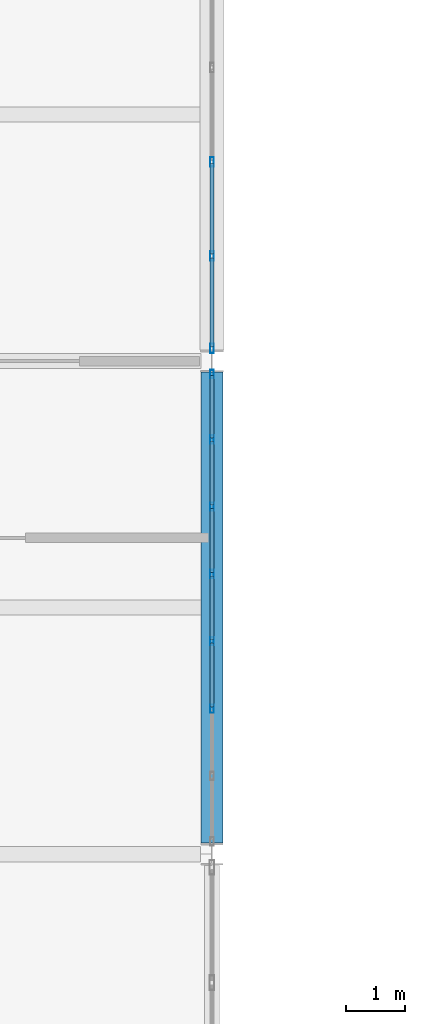
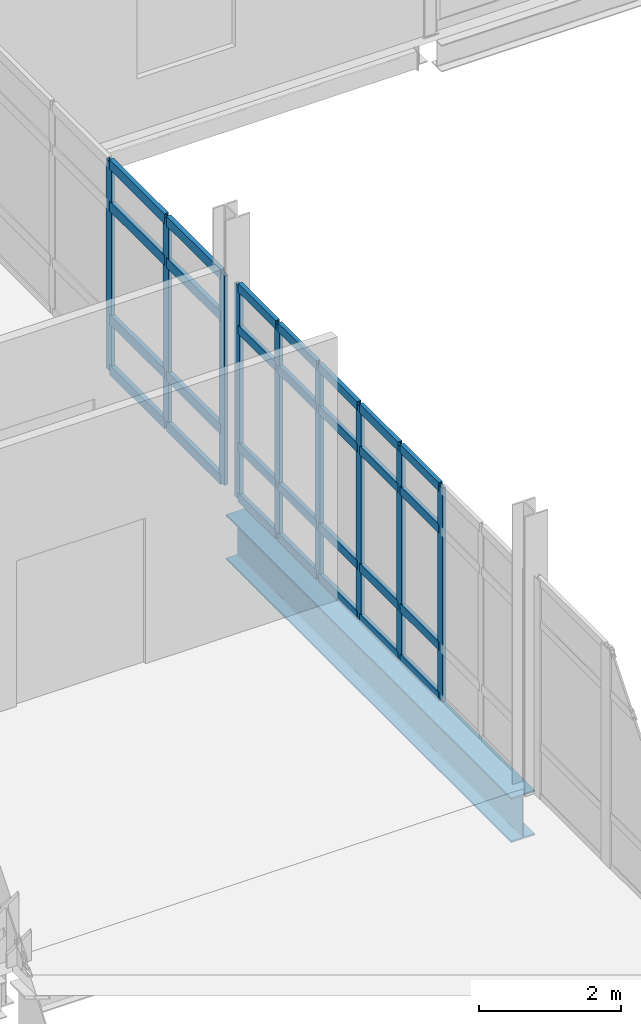
# One storey, part 58 of 186: 37 members, 1 beam, 2 elements without a shape of their own.
"""IFC4 building model written with IfcOpenShell, lengths in metres."""

from ifc_helpers import new_model, si_unit, direction, frame, origin, origin_2d, place, context, subcontext, project, spatial, hollow_rectangle, i_section, extrude, material, layer, layer_set, material_profile, profile_set, type_object, element, aggregate, save


model = new_model("IFC4")

# Units and contexts
model_context = context("Model", 3, precision=1e-05, world=origin(), true_north=direction((0.0, 1.0)))
body_context = subcontext(model_context, "Body", "Model", "MODEL_VIEW")
ifc_project = project(units=[si_unit("LENGTHUNIT", "METRE"), si_unit("AREAUNIT", "SQUARE_METRE"), si_unit("VOLUMEUNIT", "CUBIC_METRE"), si_unit("PLANEANGLEUNIT", "RADIAN"), si_unit("MASSUNIT", "GRAM", prefix="KILO")], contexts=[model_context])

# Site, building, storey
site_placement = place(None, origin())
site = spatial("IfcSite", under=ifc_project, at=site_placement, CompositionType="ELEMENT")
building_placement = place(site_placement, origin())
building = spatial("IfcBuilding", under=site, at=building_placement, Name="Calvrana Isthmian Art Gallery", CompositionType="ELEMENT")
storey_placement = place(building_placement, frame((0.0, 0.0, 5.39990234375)))
storey = spatial("IfcBuildingStorey", under=building, at=storey_placement, Name="L01", CompositionType="ELEMENT", Elevation=5.39990234375)

# Beam
ifc_material_1 = material(Name="Steel ASTM A992 Gr 50", Category="steel")
ifc_material_profile_1 = material_profile(ifc_material_1, i_section(OverallWidth=0.381103515625, OverallDepth=0.77197265625, WebThickness=0.0166015625, FlangeThickness=0.027099609375, FilletRadius=0.02490234375, at=origin_2d()), Name="W30X173")
ifc_profile_set_1 = profile_set([ifc_material_profile_1], Name="Steel ASTM A992 Gr 50")
beam_type = type_object("IfcBeamType", Name="BM-G-W30X173", PredefinedType="BEAM", material=ifc_profile_set_1)
beam_placement = place(storey_placement, frame((80.39990234375, 30.193115234375, -0.630859375), z_axis=(0.0, 1.0, 0.0), x_axis=(-1.0, 0.0, 0.0)))
element("IfcBeam", 1, at=beam_placement, inside=storey, type_object=beam_type, Name="Girder Y L01 11/E-F", PredefinedType="BEAM", context=body_context, shape_type="SweptSolid", body=[
    extrude(i_section(OverallWidth=0.381103515625, OverallDepth=0.77197265625, WebThickness=0.0166015625, FlangeThickness=0.027099609375, FilletRadius=0.02490234375, at=origin_2d()), origin(), (0.0, 0.0, 1.0), 8.020263671875),
])

# Curtain wall, members
ifc_material_2 = material(Name="Anodized bronze aluminium 6063-T6", Category="aluminium")
ifc_layer_1 = layer(ifc_material_2, 0.179931640625, Name="Anodized bronze aluminium 6063-T6")
ifc_layer_set_1 = layer_set([ifc_layer_1], Name="Anodized bronze aluminium 6063-T6")
curtain_wall_type_1 = type_object("IfcCurtainWallType", Name="CW-STICK-080X37", PredefinedType="NOTDEFINED", material=ifc_layer_set_1)
curtain_wall_1_placement = place(storey_placement, origin())
curtain_wall_1 = element("IfcCurtainWall", 2, at=curtain_wall_1_placement, inside=storey, type_object=curtain_wall_type_1, Name="Curtain wall CW-132", PredefinedType="NOTDEFINED")
ifc_material_profile_2 = material_profile(ifc_material_2, hollow_rectangle(XDim=0.06005859375, YDim=0.139892578125, WallThickness=0.00390625, at=origin_2d()), Name="CWM60X140")
ifc_profile_set_2 = profile_set([ifc_material_profile_2], Name="Anodized bronze aluminium 6063-T6")
member_type_1 = type_object("IfcMemberType", Name="CWM-CWM60X140", PredefinedType="MULLION", material=ifc_profile_set_2)
member_1_placement = place(storey_placement, frame((80.39990234375, 38.181884765625, 0.0), z_axis=(0.0, 0.0, 1.0), x_axis=(1.0, 0.0, 0.0)))
member_1 = element("IfcMember", 3, at=member_1_placement, type_object=member_type_1, Name="CW-132 mullion 1", PredefinedType="MULLION", context=body_context, shape_type="SweptSolid", body=[
    extrude(hollow_rectangle(XDim=0.06005859375, YDim=0.139892578125, WallThickness=0.00390625, at=origin_2d()), origin(), (0.0, 0.0, 1.0), 3.6640625),
])
member_2_placement = place(storey_placement, frame((80.39990234375, 37.0654296875, 0.0), z_axis=(0.0, 0.0, 1.0), x_axis=(1.0, 0.0, 0.0)))
member_2 = element("IfcMember", 4, at=member_2_placement, type_object=member_type_1, Name="CW-132 mullion 2", PredefinedType="MULLION", context=body_context, shape_type="SweptSolid", body=[
    extrude(hollow_rectangle(XDim=0.06005859375, YDim=0.139892578125, WallThickness=0.00390625, at=origin_2d()), origin(), (0.0, 0.0, 1.0), 3.6640625),
])
member_3_placement = place(storey_placement, frame((80.39990234375, 35.9189453125, 0.0), z_axis=(0.0, 0.0, 1.0), x_axis=(1.0, 0.0, 0.0)))
member_3 = element("IfcMember", 5, at=member_3_placement, type_object=member_type_1, Name="CW-132 mullion 3", PredefinedType="MULLION", context=body_context, shape_type="SweptSolid", body=[
    extrude(hollow_rectangle(XDim=0.06005859375, YDim=0.139892578125, WallThickness=0.00390625, at=origin_2d()), origin(), (0.0, 0.0, 1.0), 3.6640625),
])
member_4_placement = place(storey_placement, frame((80.39990234375, 34.7724609375, 0.0), z_axis=(0.0, 0.0, 1.0), x_axis=(1.0, 0.0, 0.0)))
member_4 = element("IfcMember", 6, at=member_4_placement, type_object=member_type_1, Name="CW-132 mullion 4", PredefinedType="MULLION", context=body_context, shape_type="SweptSolid", body=[
    extrude(hollow_rectangle(XDim=0.06005859375, YDim=0.139892578125, WallThickness=0.00390625, at=origin_2d()), origin(), (0.0, 0.0, 1.0), 3.6640625),
])
member_5_placement = place(storey_placement, frame((80.39990234375, 33.6259765625, 0.0), z_axis=(0.0, 0.0, 1.0), x_axis=(1.0, 0.0, 0.0)))
member_5 = element("IfcMember", 7, at=member_5_placement, type_object=member_type_1, Name="CW-132 mullion 5", PredefinedType="MULLION", context=body_context, shape_type="SweptSolid", body=[
    extrude(hollow_rectangle(XDim=0.06005859375, YDim=0.139892578125, WallThickness=0.00390625, at=origin_2d()), origin(), (0.0, 0.0, 1.0), 3.6640625),
])
member_6_placement = place(storey_placement, frame((80.39990234375, 32.4794921875, 0.0), z_axis=(0.0, 0.0, 1.0), x_axis=(1.0, 0.0, 0.0)))
member_6 = element("IfcMember", 8, at=member_6_placement, type_object=member_type_1, Name="CW-132 mullion 6", PredefinedType="MULLION", context=body_context, shape_type="SweptSolid", body=[
    extrude(hollow_rectangle(XDim=0.06005859375, YDim=0.139892578125, WallThickness=0.00390625, at=origin_2d()), origin(), (0.0, 0.0, 1.0), 3.6640625),
])

ifc_layer_2 = layer(ifc_material_2, 0.179931640625, Name="Anodized bronze aluminium 6063-T6")
ifc_layer_set_2 = layer_set([ifc_layer_2], Name="Anodized bronze aluminium 6063-T6")
curtain_wall_type_2 = type_object("IfcCurtainWallType", Name="CW-UNIT-080X36", PredefinedType="USERDEFINED", material=ifc_layer_set_2)
curtain_wall_2_placement = place(storey_placement, origin())
curtain_wall_2 = element("IfcCurtainWall", 9, at=curtain_wall_2_placement, inside=storey, type_object=curtain_wall_type_2, Name="Curtain wall CW-133", ObjectType="UNITISED CURTAIN WALL", PredefinedType="USERDEFINED")
ifc_material_profile_3 = material_profile(ifc_material_2, hollow_rectangle(XDim=0.06005859375, YDim=0.159912109375, WallThickness=0.00390625, at=origin_2d()), Name="CWM60X160")
ifc_profile_set_3 = profile_set([ifc_material_profile_3], Name="Anodized bronze aluminium 6063-T6")
member_type_2 = type_object("IfcMemberType", Name="CWM-CWM60X160", PredefinedType="MULLION", material=ifc_profile_set_3)
member_7_placement = place(storey_placement, frame((80.39990234375, 41.796630859375, 0.0), z_axis=(0.0, 0.0, 1.0), x_axis=(1.0, 0.0, 0.0)))
member_7 = element("IfcMember", 10, at=member_7_placement, type_object=member_type_2, Name="CW-133 mullion 4", PredefinedType="MULLION", context=body_context, shape_type="SweptSolid", body=[
    extrude(hollow_rectangle(XDim=0.06005859375, YDim=0.159912109375, WallThickness=0.00390625, at=origin_2d()), origin(), (0.0, 0.0, 1.0), 3.593017578125),
])
member_8_placement = place(storey_placement, frame((80.39990234375, 40.1923828125, 0.0), z_axis=(0.0, 0.0, 1.0), x_axis=(1.0, 0.0, 0.0)))
member_8 = element("IfcMember", 11, at=member_8_placement, type_object=member_type_2, Name="CW-133 mullion 5", PredefinedType="MULLION", context=body_context, shape_type="SweptSolid", body=[
    extrude(hollow_rectangle(XDim=0.06005859375, YDim=0.159912109375, WallThickness=0.00390625, at=origin_2d()), origin(), (0.0, 0.0, 1.0), 3.593017578125),
])
member_9_placement = place(storey_placement, frame((80.39990234375, 38.617919921875, 0.0), z_axis=(0.0, 0.0, 1.0), x_axis=(1.0, 0.0, 0.0)))
member_9 = element("IfcMember", 12, at=member_9_placement, type_object=member_type_2, Name="CW-133 mullion 6", PredefinedType="MULLION", context=body_context, shape_type="SweptSolid", body=[
    extrude(hollow_rectangle(XDim=0.06005859375, YDim=0.159912109375, WallThickness=0.00390625, at=origin_2d()), origin(), (0.0, 0.0, 1.0), 3.593017578125),
])

# Member
ifc_material_profile_4 = material_profile(ifc_material_2, hollow_rectangle(XDim=0.06494140625, YDim=0.14990234375, WallThickness=0.00390625, at=origin_2d()), Name="CWT65X150")
ifc_profile_set_4 = profile_set([ifc_material_profile_4], Name="Anodized bronze aluminium 6063-T6")
member_type_3 = type_object("IfcMemberType", Name="CWT-CWT65X150", PredefinedType="USERDEFINED", material=ifc_profile_set_4)
member_10_placement = place(storey_placement, frame((80.39990234375, 38.152099609375, 0.03271484375), z_axis=(0.0, -1.0, 0.0), x_axis=(1.0, 0.0, 0.0)))
member_10 = element("IfcMember", 13, at=member_10_placement, type_object=member_type_3, Name="CW-132 transom 1.1", ObjectType="TRANSOM", PredefinedType="USERDEFINED", context=body_context, shape_type="SweptSolid", body=[
    extrude(hollow_rectangle(XDim=0.06494140625, YDim=0.14990234375, WallThickness=0.00390625, at=origin_2d()), origin(), (0.0, 0.0, 1.0), 1.056640625),
])

member_11_placement = place(storey_placement, frame((80.39990234375, 38.152099609375, 0.900146484375), z_axis=(0.0, -1.0, 0.0), x_axis=(1.0, 0.0, 0.0)))
member_11 = element("IfcMember", 14, at=member_11_placement, type_object=member_type_3, Name="CW-132 transom 1.2", ObjectType="TRANSOM", PredefinedType="USERDEFINED", context=body_context, shape_type="SweptSolid", body=[
    extrude(hollow_rectangle(XDim=0.06494140625, YDim=0.14990234375, WallThickness=0.00390625, at=origin_2d()), origin(), (0.0, 0.0, 1.0), 1.056640625),
])

member_12_placement = place(storey_placement, frame((80.39990234375, 38.152099609375, 2.9140625), z_axis=(0.0, -1.0, 0.0), x_axis=(1.0, 0.0, 0.0)))
member_12 = element("IfcMember", 15, at=member_12_placement, type_object=member_type_3, Name="CW-132 transom 1.3", ObjectType="TRANSOM", PredefinedType="USERDEFINED", context=body_context, shape_type="SweptSolid", body=[
    extrude(hollow_rectangle(XDim=0.06494140625, YDim=0.14990234375, WallThickness=0.00390625, at=origin_2d()), origin(), (0.0, 0.0, 1.0), 1.056640625),
])

member_13_placement = place(storey_placement, frame((80.39990234375, 38.152099609375, 3.631591796875), z_axis=(0.0, -1.0, 0.0), x_axis=(1.0, 0.0, 0.0)))
member_13 = element("IfcMember", 16, at=member_13_placement, type_object=member_type_3, Name="CW-132 transom 1.4", ObjectType="TRANSOM", PredefinedType="USERDEFINED", context=body_context, shape_type="SweptSolid", body=[
    extrude(hollow_rectangle(XDim=0.06494140625, YDim=0.14990234375, WallThickness=0.00390625, at=origin_2d()), origin(), (0.0, 0.0, 1.0), 1.056640625),
])

member_14_placement = place(storey_placement, frame((80.39990234375, 37.035400390625, 0.03271484375), z_axis=(0.0, -1.0, 0.0), x_axis=(1.0, 0.0, 0.0)))
member_14 = element("IfcMember", 17, at=member_14_placement, type_object=member_type_3, Name="CW-132 transom 2.1", ObjectType="TRANSOM", PredefinedType="USERDEFINED", context=body_context, shape_type="SweptSolid", body=[
    extrude(hollow_rectangle(XDim=0.06494140625, YDim=0.14990234375, WallThickness=0.00390625, at=origin_2d()), origin(), (0.0, 0.0, 1.0), 1.08642578125),
])

member_15_placement = place(storey_placement, frame((80.39990234375, 37.035400390625, 0.900146484375), z_axis=(0.0, -1.0, 0.0), x_axis=(1.0, 0.0, 0.0)))
member_15 = element("IfcMember", 18, at=member_15_placement, type_object=member_type_3, Name="CW-132 transom 2.2", ObjectType="TRANSOM", PredefinedType="USERDEFINED", context=body_context, shape_type="SweptSolid", body=[
    extrude(hollow_rectangle(XDim=0.06494140625, YDim=0.14990234375, WallThickness=0.00390625, at=origin_2d()), origin(), (0.0, 0.0, 1.0), 1.08642578125),
])

member_16_placement = place(storey_placement, frame((80.39990234375, 37.035400390625, 2.9140625), z_axis=(0.0, -1.0, 0.0), x_axis=(1.0, 0.0, 0.0)))
member_16 = element("IfcMember", 19, at=member_16_placement, type_object=member_type_3, Name="CW-132 transom 2.3", ObjectType="TRANSOM", PredefinedType="USERDEFINED", context=body_context, shape_type="SweptSolid", body=[
    extrude(hollow_rectangle(XDim=0.06494140625, YDim=0.14990234375, WallThickness=0.00390625, at=origin_2d()), origin(), (0.0, 0.0, 1.0), 1.08642578125),
])

member_17_placement = place(storey_placement, frame((80.39990234375, 37.035400390625, 3.631591796875), z_axis=(0.0, -1.0, 0.0), x_axis=(1.0, 0.0, 0.0)))
member_17 = element("IfcMember", 20, at=member_17_placement, type_object=member_type_3, Name="CW-132 transom 2.4", ObjectType="TRANSOM", PredefinedType="USERDEFINED", context=body_context, shape_type="SweptSolid", body=[
    extrude(hollow_rectangle(XDim=0.06494140625, YDim=0.14990234375, WallThickness=0.00390625, at=origin_2d()), origin(), (0.0, 0.0, 1.0), 1.08642578125),
])

member_18_placement = place(storey_placement, frame((80.39990234375, 35.888916015625, 0.03271484375), z_axis=(0.0, -1.0, 0.0), x_axis=(1.0, 0.0, 0.0)))
member_18 = element("IfcMember", 21, at=member_18_placement, type_object=member_type_3, Name="CW-132 transom 3.1", ObjectType="TRANSOM", PredefinedType="USERDEFINED", context=body_context, shape_type="SweptSolid", body=[
    extrude(hollow_rectangle(XDim=0.06494140625, YDim=0.14990234375, WallThickness=0.00390625, at=origin_2d()), origin(), (0.0, 0.0, 1.0), 1.08642578125),
])

member_19_placement = place(storey_placement, frame((80.39990234375, 35.888916015625, 0.900146484375), z_axis=(0.0, -1.0, 0.0), x_axis=(1.0, 0.0, 0.0)))
member_19 = element("IfcMember", 22, at=member_19_placement, type_object=member_type_3, Name="CW-132 transom 3.2", ObjectType="TRANSOM", PredefinedType="USERDEFINED", context=body_context, shape_type="SweptSolid", body=[
    extrude(hollow_rectangle(XDim=0.06494140625, YDim=0.14990234375, WallThickness=0.00390625, at=origin_2d()), origin(), (0.0, 0.0, 1.0), 1.08642578125),
])

member_20_placement = place(storey_placement, frame((80.39990234375, 35.888916015625, 2.9140625), z_axis=(0.0, -1.0, 0.0), x_axis=(1.0, 0.0, 0.0)))
member_20 = element("IfcMember", 23, at=member_20_placement, type_object=member_type_3, Name="CW-132 transom 3.3", ObjectType="TRANSOM", PredefinedType="USERDEFINED", context=body_context, shape_type="SweptSolid", body=[
    extrude(hollow_rectangle(XDim=0.06494140625, YDim=0.14990234375, WallThickness=0.00390625, at=origin_2d()), origin(), (0.0, 0.0, 1.0), 1.08642578125),
])

member_21_placement = place(storey_placement, frame((80.39990234375, 35.888916015625, 3.631591796875), z_axis=(0.0, -1.0, 0.0), x_axis=(1.0, 0.0, 0.0)))
member_21 = element("IfcMember", 24, at=member_21_placement, type_object=member_type_3, Name="CW-132 transom 3.4", ObjectType="TRANSOM", PredefinedType="USERDEFINED", context=body_context, shape_type="SweptSolid", body=[
    extrude(hollow_rectangle(XDim=0.06494140625, YDim=0.14990234375, WallThickness=0.00390625, at=origin_2d()), origin(), (0.0, 0.0, 1.0), 1.08642578125),
])

member_22_placement = place(storey_placement, frame((80.39990234375, 34.742431640625, 0.03271484375), z_axis=(0.0, -1.0, 0.0), x_axis=(1.0, 0.0, 0.0)))
member_22 = element("IfcMember", 25, at=member_22_placement, type_object=member_type_3, Name="CW-132 transom 4.1", ObjectType="TRANSOM", PredefinedType="USERDEFINED", context=body_context, shape_type="SweptSolid", body=[
    extrude(hollow_rectangle(XDim=0.06494140625, YDim=0.14990234375, WallThickness=0.00390625, at=origin_2d()), origin(), (0.0, 0.0, 1.0), 1.08642578125),
])

member_23_placement = place(storey_placement, frame((80.39990234375, 34.742431640625, 0.900146484375), z_axis=(0.0, -1.0, 0.0), x_axis=(1.0, 0.0, 0.0)))
member_23 = element("IfcMember", 26, at=member_23_placement, type_object=member_type_3, Name="CW-132 transom 4.2", ObjectType="TRANSOM", PredefinedType="USERDEFINED", context=body_context, shape_type="SweptSolid", body=[
    extrude(hollow_rectangle(XDim=0.06494140625, YDim=0.14990234375, WallThickness=0.00390625, at=origin_2d()), origin(), (0.0, 0.0, 1.0), 1.08642578125),
])

member_24_placement = place(storey_placement, frame((80.39990234375, 34.742431640625, 2.9140625), z_axis=(0.0, -1.0, 0.0), x_axis=(1.0, 0.0, 0.0)))
member_24 = element("IfcMember", 27, at=member_24_placement, type_object=member_type_3, Name="CW-132 transom 4.3", ObjectType="TRANSOM", PredefinedType="USERDEFINED", context=body_context, shape_type="SweptSolid", body=[
    extrude(hollow_rectangle(XDim=0.06494140625, YDim=0.14990234375, WallThickness=0.00390625, at=origin_2d()), origin(), (0.0, 0.0, 1.0), 1.08642578125),
])

member_25_placement = place(storey_placement, frame((80.39990234375, 34.742431640625, 3.631591796875), z_axis=(0.0, -1.0, 0.0), x_axis=(1.0, 0.0, 0.0)))
member_25 = element("IfcMember", 28, at=member_25_placement, type_object=member_type_3, Name="CW-132 transom 4.4", ObjectType="TRANSOM", PredefinedType="USERDEFINED", context=body_context, shape_type="SweptSolid", body=[
    extrude(hollow_rectangle(XDim=0.06494140625, YDim=0.14990234375, WallThickness=0.00390625, at=origin_2d()), origin(), (0.0, 0.0, 1.0), 1.08642578125),
])

member_26_placement = place(storey_placement, frame((80.39990234375, 33.595947265625, 0.03271484375), z_axis=(0.0, -1.0, 0.0), x_axis=(1.0, 0.0, 0.0)))
member_26 = element("IfcMember", 29, at=member_26_placement, type_object=member_type_3, Name="CW-132 transom 5.1", ObjectType="TRANSOM", PredefinedType="USERDEFINED", context=body_context, shape_type="SweptSolid", body=[
    extrude(hollow_rectangle(XDim=0.06494140625, YDim=0.14990234375, WallThickness=0.00390625, at=origin_2d()), origin(), (0.0, 0.0, 1.0), 1.08642578125),
])

member_27_placement = place(storey_placement, frame((80.39990234375, 33.595947265625, 0.900146484375), z_axis=(0.0, -1.0, 0.0), x_axis=(1.0, 0.0, 0.0)))
member_27 = element("IfcMember", 30, at=member_27_placement, type_object=member_type_3, Name="CW-132 transom 5.2", ObjectType="TRANSOM", PredefinedType="USERDEFINED", context=body_context, shape_type="SweptSolid", body=[
    extrude(hollow_rectangle(XDim=0.06494140625, YDim=0.14990234375, WallThickness=0.00390625, at=origin_2d()), origin(), (0.0, 0.0, 1.0), 1.08642578125),
])

member_28_placement = place(storey_placement, frame((80.39990234375, 33.595947265625, 2.9140625), z_axis=(0.0, -1.0, 0.0), x_axis=(1.0, 0.0, 0.0)))
member_28 = element("IfcMember", 31, at=member_28_placement, type_object=member_type_3, Name="CW-132 transom 5.3", ObjectType="TRANSOM", PredefinedType="USERDEFINED", context=body_context, shape_type="SweptSolid", body=[
    extrude(hollow_rectangle(XDim=0.06494140625, YDim=0.14990234375, WallThickness=0.00390625, at=origin_2d()), origin(), (0.0, 0.0, 1.0), 1.08642578125),
])

member_29_placement = place(storey_placement, frame((80.39990234375, 33.595947265625, 3.631591796875), z_axis=(0.0, -1.0, 0.0), x_axis=(1.0, 0.0, 0.0)))
member_29 = element("IfcMember", 32, at=member_29_placement, type_object=member_type_3, Name="CW-132 transom 5.4", ObjectType="TRANSOM", PredefinedType="USERDEFINED", context=body_context, shape_type="SweptSolid", body=[
    extrude(hollow_rectangle(XDim=0.06494140625, YDim=0.14990234375, WallThickness=0.00390625, at=origin_2d()), origin(), (0.0, 0.0, 1.0), 1.08642578125),
])

aggregate(curtain_wall_1, [member_1, member_2, member_3, member_4, member_5, member_6, member_10, member_11, member_12, member_13, member_14, member_15, member_16, member_17, member_18, member_19, member_20, member_21, member_22, member_23, member_24, member_25, member_26, member_27, member_28, member_29])

ifc_material_profile_5 = material_profile(ifc_material_2, hollow_rectangle(XDim=0.070068359375, YDim=0.169921875, WallThickness=0.00439453125, at=origin_2d()), Name="CWT70X170")
ifc_profile_set_5 = profile_set([ifc_material_profile_5], Name="Anodized bronze aluminium 6063-T6")
member_type_4 = type_object("IfcMemberType", Name="CWT-CWT70X170", PredefinedType="USERDEFINED", material=ifc_profile_set_5)
member_30_placement = place(storey_placement, frame((80.39990234375, 41.7666015625, 0.03515625), z_axis=(0.0, -1.0, 0.0), x_axis=(1.0, 0.0, 0.0)))
member_30 = element("IfcMember", 33, at=member_30_placement, type_object=member_type_4, Name="CW-133 transom 4.1", ObjectType="TRANSOM", PredefinedType="USERDEFINED", context=body_context, shape_type="SweptSolid", body=[
    extrude(hollow_rectangle(XDim=0.070068359375, YDim=0.169921875, WallThickness=0.00439453125, at=origin_2d()), origin(), (0.0, 0.0, 1.0), 1.544189453125),
])

member_31_placement = place(storey_placement, frame((80.39990234375, 41.7666015625, 0.900146484375), z_axis=(0.0, -1.0, 0.0), x_axis=(1.0, 0.0, 0.0)))
member_31 = element("IfcMember", 34, at=member_31_placement, type_object=member_type_4, Name="CW-133 transom 4.2", ObjectType="TRANSOM", PredefinedType="USERDEFINED", context=body_context, shape_type="SweptSolid", body=[
    extrude(hollow_rectangle(XDim=0.070068359375, YDim=0.169921875, WallThickness=0.00439453125, at=origin_2d()), origin(), (0.0, 0.0, 1.0), 1.544189453125),
])

member_32_placement = place(storey_placement, frame((80.39990234375, 41.7666015625, 2.843017578125), z_axis=(0.0, -1.0, 0.0), x_axis=(1.0, 0.0, 0.0)))
member_32 = element("IfcMember", 35, at=member_32_placement, type_object=member_type_4, Name="CW-133 transom 4.3", ObjectType="TRANSOM", PredefinedType="USERDEFINED", context=body_context, shape_type="SweptSolid", body=[
    extrude(hollow_rectangle(XDim=0.070068359375, YDim=0.169921875, WallThickness=0.00439453125, at=origin_2d()), origin(), (0.0, 0.0, 1.0), 1.544189453125),
])

member_33_placement = place(storey_placement, frame((80.39990234375, 41.7666015625, 3.55810546875), z_axis=(0.0, -1.0, 0.0), x_axis=(1.0, 0.0, 0.0)))
member_33 = element("IfcMember", 36, at=member_33_placement, type_object=member_type_4, Name="CW-133 transom 4.4", ObjectType="TRANSOM", PredefinedType="USERDEFINED", context=body_context, shape_type="SweptSolid", body=[
    extrude(hollow_rectangle(XDim=0.070068359375, YDim=0.169921875, WallThickness=0.00439453125, at=origin_2d()), origin(), (0.0, 0.0, 1.0), 1.544189453125),
])

member_34_placement = place(storey_placement, frame((80.39990234375, 40.162353515625, 0.03515625), z_axis=(0.0, -1.0, 0.0), x_axis=(1.0, 0.0, 0.0)))
member_34 = element("IfcMember", 37, at=member_34_placement, type_object=member_type_4, Name="CW-133 transom 5.1", ObjectType="TRANSOM", PredefinedType="USERDEFINED", context=body_context, shape_type="SweptSolid", body=[
    extrude(hollow_rectangle(XDim=0.070068359375, YDim=0.169921875, WallThickness=0.00439453125, at=origin_2d()), origin(), (0.0, 0.0, 1.0), 1.514404296875),
])

member_35_placement = place(storey_placement, frame((80.39990234375, 40.162353515625, 0.900146484375), z_axis=(0.0, -1.0, 0.0), x_axis=(1.0, 0.0, 0.0)))
member_35 = element("IfcMember", 38, at=member_35_placement, type_object=member_type_4, Name="CW-133 transom 5.2", ObjectType="TRANSOM", PredefinedType="USERDEFINED", context=body_context, shape_type="SweptSolid", body=[
    extrude(hollow_rectangle(XDim=0.070068359375, YDim=0.169921875, WallThickness=0.00439453125, at=origin_2d()), origin(), (0.0, 0.0, 1.0), 1.514404296875),
])

member_36_placement = place(storey_placement, frame((80.39990234375, 40.162353515625, 2.843017578125), z_axis=(0.0, -1.0, 0.0), x_axis=(1.0, 0.0, 0.0)))
member_36 = element("IfcMember", 39, at=member_36_placement, type_object=member_type_4, Name="CW-133 transom 5.3", ObjectType="TRANSOM", PredefinedType="USERDEFINED", context=body_context, shape_type="SweptSolid", body=[
    extrude(hollow_rectangle(XDim=0.070068359375, YDim=0.169921875, WallThickness=0.00439453125, at=origin_2d()), origin(), (0.0, 0.0, 1.0), 1.514404296875),
])

member_37_placement = place(storey_placement, frame((80.39990234375, 40.162353515625, 3.55810546875), z_axis=(0.0, -1.0, 0.0), x_axis=(1.0, 0.0, 0.0)))
member_37 = element("IfcMember", 40, at=member_37_placement, type_object=member_type_4, Name="CW-133 transom 5.4", ObjectType="TRANSOM", PredefinedType="USERDEFINED", context=body_context, shape_type="SweptSolid", body=[
    extrude(hollow_rectangle(XDim=0.070068359375, YDim=0.169921875, WallThickness=0.00439453125, at=origin_2d()), origin(), (0.0, 0.0, 1.0), 1.514404296875),
])

aggregate(curtain_wall_2, [member_7, member_8, member_9, member_30, member_31, member_32, member_33, member_34, member_35, member_36, member_37])

save(model, "model.ifc")
